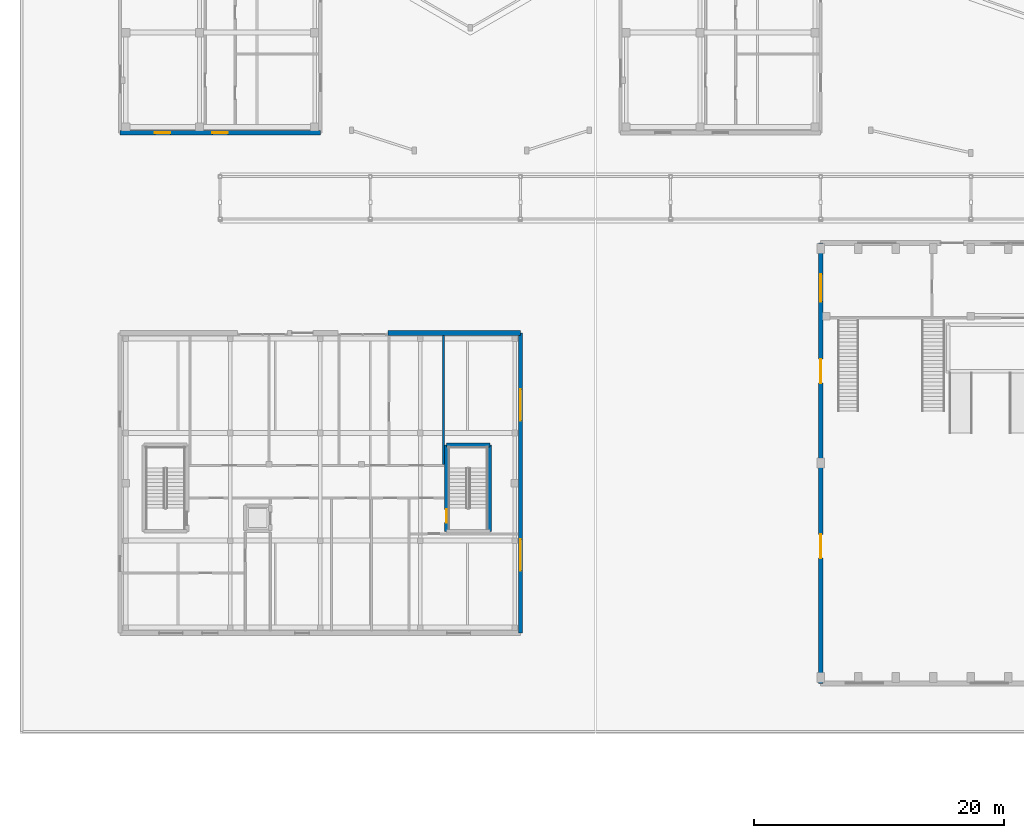
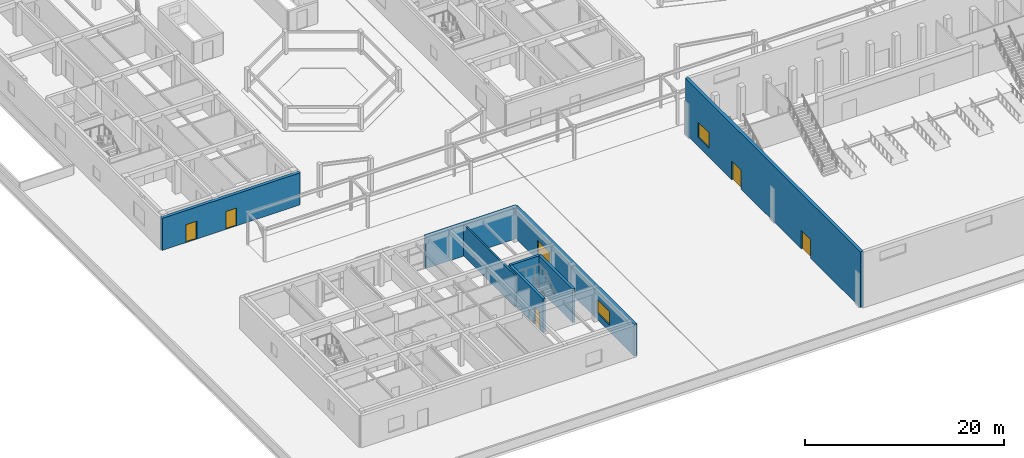
# One storey, part 74 of 114: 8 walls, 5 doors, 3 windows, 8 openings.
"""IFC4 building model written with IfcOpenShell, lengths in metres."""

from ifc_helpers import new_model, si_unit, direction, frame, frame_2d, origin, place, context, subcontext, project, spatial, rectangle, extrude, material, layer, layer_set, type_object, element, fill, save


model = new_model("IFC4")

# Units and contexts
model_context = context("Model", 3, precision=1e-05, world=origin(), true_north=direction((0.0, 1.0)))
body_context = subcontext(model_context, "Body", "Model", "MODEL_VIEW")
ifc_project = project(units=[si_unit("LENGTHUNIT", "METRE"), si_unit("AREAUNIT", "SQUARE_METRE"), si_unit("VOLUMEUNIT", "CUBIC_METRE"), si_unit("PLANEANGLEUNIT", "RADIAN"), si_unit("MASSUNIT", "GRAM", prefix="KILO")], contexts=[model_context])

# Site, building, storey
site_placement = place(None, origin())
site = spatial("IfcSite", under=ifc_project, at=site_placement, CompositionType="ELEMENT")
building_placement = place(site_placement, origin())
building = spatial("IfcBuilding", under=site, at=building_placement, Name="Keldmere Railside Commons", CompositionType="ELEMENT")
storey_placement = place(building_placement, origin())
storey = spatial("IfcBuildingStorey", under=building, at=storey_placement, Name="L00", CompositionType="ELEMENT", Elevation=0.0)

# Walls
ifc_material_1 = material(Name="Acoustic Gypsum Board Partition", Category="gypsum")
ifc_layer_1 = layer(ifc_material_1, 0.179931640625, Name="Acoustic Demising Partition 180")
ifc_layer_set_1 = layer_set([ifc_layer_1], Name="Acoustic Gypsum Board Partition")
wall_type_1 = type_object("IfcWallType", Name="Acoustic Demising Partition 180", PredefinedType="PARTITIONING", material=ifc_layer_set_1)
wall_1_placement = place(storey_placement, frame((33.860107421875, 29.47998046875, 0.0), z_axis=(0.0, 0.0, 1.0), x_axis=(0.0, 1.0, 0.0)))
element("IfcWall", 1, at=wall_1_placement, inside=storey, type_object=wall_type_1, Name="IW-1 IW-L00-0110", PredefinedType="PARTITIONING", context=body_context, shape_type="SweptSolid", body=[
    extrude(rectangle(XDim=10.320068359375, YDim=0.179931640625, at=frame_2d((5.16015625, 0.0))), origin(), (0.0, 0.0, 1.0), 3.889892578125),
])
ifc_material_2 = material(Name="Terracotta Brick Masonry", Category="masonry")
ifc_layer_2 = layer(ifc_material_2, 0.39990234375, Name="Civic Brick Cavity Wall 400")
ifc_layer_set_2 = layer_set([ifc_layer_2], Name="Terracotta Brick Masonry")
wall_type_2 = type_object("IfcWallType", Name="Civic Brick Cavity Wall 400", PredefinedType="SOLIDWALL", material=ifc_layer_set_2)
wall_2_placement = place(storey_placement, frame((29.39990234375, 40.0, 0.0), z_axis=(0.0, 0.0, 1.0), x_axis=(1.0, 0.0, 0.0)))
element("IfcWall", 2, at=wall_2_placement, inside=storey, type_object=wall_type_2, Name="EW-3 NURNE-L00-0985", PredefinedType="SOLIDWALL", context=body_context, shape_type="SweptSolid", body=[
    extrude(rectangle(XDim=10.60009765625, YDim=0.39990234375, at=frame_2d((5.300048828125, 0.0))), origin(), (0.0, 0.0, 1.0), 3.89990234375),
])

# Wall, openings, windows
ifc_material_3 = material(Name="Concrete H-35 (C35/45)", Category="concrete")
ifc_layer_3 = layer(ifc_material_3, 0.320068359375, Name="Exterior Shear Wall 320")
ifc_layer_set_3 = layer_set([ifc_layer_3], Name="Concrete H-35 (C35/45)")
wall_type_3 = type_object("IfcWallType", Name="Exterior Shear Wall 320", PredefinedType="SHEAR", material=ifc_layer_set_3)
wall_3_placement = place(storey_placement, frame((40.0, 40.0, 0.0), z_axis=(0.0, 0.0, 1.0), x_axis=(0.0, -1.0, 0.0)))
wall_3 = element("IfcWall", 3, at=wall_3_placement, inside=storey, type_object=wall_type_3, Name="ESW-2 NURE-L00-0986", PredefinedType="SHEAR", context=body_context, shape_type="SweptSolid", body=[
    extrude(rectangle(XDim=24.0, YDim=0.320068359375, at=frame_2d((12.0, 0.0))), origin(), (0.0, 0.0, 1.0), 3.89990234375),
])
opening_1_placement = place(wall_3_placement, frame((4.5, 0.0, 0.800048828125)))
opening_1 = element("IfcOpeningElement", 4, at=opening_1_placement, cuts=wall_3, Name="Opening WN-27", PredefinedType="OPENING", context=body_context, shape_type="SweptSolid", body=[
    extrude(rectangle(XDim=2.5, YDim=1.64990234375, at=frame_2d((1.25, 0.824951171875))), frame((0.0, 0.169921875, 0.0), z_axis=(0.0, -1.0, 0.0), x_axis=(1.0, 0.0, 0.0)), (0.0, 0.0, 1.0), 0.340087890625),
])
opening_2_placement = place(wall_3_placement, frame((16.5, 0.0, 0.800048828125)))
opening_2 = element("IfcOpeningElement", 5, at=opening_2_placement, cuts=wall_3, Name="Opening WN-27", PredefinedType="OPENING", context=body_context, shape_type="SweptSolid", body=[
    extrude(rectangle(XDim=2.5, YDim=1.64990234375, at=frame_2d((1.25, 0.824951171875))), frame((0.0, 0.169921875, 0.0), z_axis=(0.0, -1.0, 0.0), x_axis=(1.0, 0.0, 0.0)), (0.0, 0.0, 1.0), 0.340087890625),
])
ifc_material_4 = material(Name="Low-E Insulated Double Glazing", Category="glass")
window_type_1 = type_object("IfcWindowType", Name="Nursery Toddler Playroom Ribbon Window 2500x1650", PartitioningType="SINGLE_PANEL", PredefinedType="WINDOW", material=ifc_material_4)
window_1_placement = place(opening_1_placement, origin())
window_1 = element("IfcWindow", 6, at=window_1_placement, inside=storey, type_object=window_type_1, Name="WN-27 WIN-L00-0819", OverallHeight=1.64990234375, OverallWidth=2.5, PartitioningType="SINGLE_PANEL", PredefinedType="WINDOW", context=body_context, shape_type="SweptSolid", body=[
    extrude(rectangle(XDim=2.5, YDim=1.64990234375, at=frame_2d((1.25, 0.824951171875))), frame((0.0, 0.030029296875, 0.0), z_axis=(0.0, -1.0, 0.0), x_axis=(1.0, 0.0, 0.0)), (0.0, 0.0, 1.0), 0.06005859375),
])
fill(opening_1, window_1)
window_2_placement = place(opening_2_placement, origin())
window_2 = element("IfcWindow", 7, at=window_2_placement, inside=storey, type_object=window_type_1, Name="WN-27 WIN-L00-0821", OverallHeight=1.64990234375, OverallWidth=2.5, PartitioningType="SINGLE_PANEL", PredefinedType="WINDOW", context=body_context, shape_type="SweptSolid", body=[
    extrude(rectangle(XDim=2.5, YDim=1.64990234375, at=frame_2d((1.25, 0.824951171875))), frame((0.0, 0.030029296875, 0.0), z_axis=(0.0, -1.0, 0.0), x_axis=(1.0, 0.0, 0.0)), (0.0, 0.0, 1.0), 0.06005859375),
])
fill(opening_2, window_2)

# Wall, openings, doors
ifc_layer_4 = layer(ifc_material_3, 0.360107421875, Name="Exterior Shear Wall 360")
ifc_layer_set_4 = layer_set([ifc_layer_4], Name="Concrete H-35 (C35/45)")
wall_type_4 = type_object("IfcWallType", Name="Exterior Shear Wall 360", PredefinedType="SHEAR", material=ifc_layer_set_4)
wall_4_placement = place(storey_placement, frame((24.0, 56.0, 0.0), z_axis=(0.0, 0.0, 1.0), x_axis=(-1.0, 0.0, 0.0)))
wall_4 = element("IfcWall", 8, at=wall_4_placement, inside=storey, type_object=wall_type_4, Name="ESW-1 EXTD-L00-0123", PredefinedType="SHEAR", context=body_context, shape_type="SweptSolid", body=[
    extrude(rectangle(XDim=16.0, YDim=0.360107421875, at=frame_2d((8.0, 0.0))), origin(), (0.0, 0.0, 1.0), 3.93994140625),
])
opening_3_placement = place(wall_4_placement, frame((7.375, 0.0, 0.0)))
opening_3 = element("IfcOpeningElement", 9, at=opening_3_placement, cuts=wall_4, Name="Opening ED-02", PredefinedType="OPENING", context=body_context, shape_type="SweptSolid", body=[
    extrude(rectangle(XDim=1.25, YDim=2.199951171875, at=frame_2d((0.625, 1.10009765625))), frame((0.0, 0.18994140625, 0.0), z_axis=(0.0, -1.0, 0.0), x_axis=(1.0, 0.0, 0.0)), (0.0, 0.0, 1.0), 0.380126953125),
])
opening_4_placement = place(wall_4_placement, frame((11.97509765625, 0.0, 0.0)))
opening_4 = element("IfcOpeningElement", 10, at=opening_4_placement, cuts=wall_4, Name="Opening ED-02", PredefinedType="OPENING", context=body_context, shape_type="SweptSolid", body=[
    extrude(rectangle(XDim=1.25, YDim=2.199951171875, at=frame_2d((0.625, 1.10009765625))), frame((0.0, 0.18994140625, 0.0), z_axis=(0.0, -1.0, 0.0), x_axis=(1.0, 0.0, 0.0)), (0.0, 0.0, 1.0), 0.380126953125),
])
ifc_material_5 = material(Name="Steel F-24 (S235)", Category="steel")
door_type_1 = type_object("IfcDoorType", Name="Stair Final Escape Exit Door 1250x2200", OperationType="NOTDEFINED", PredefinedType="DOOR", material=ifc_material_5)
door_1_placement = place(opening_3_placement, origin())
door_1 = element("IfcDoor", 11, at=door_1_placement, inside=storey, type_object=door_type_1, Name="ED-02 DR-L00-0001", OperationType="SINGLE_SWING_LEFT", OverallHeight=2.199951171875, OverallWidth=1.25, PredefinedType="DOOR", context=body_context, shape_type="SweptSolid", body=[
    extrude(rectangle(XDim=1.25, YDim=2.199951171875, at=frame_2d((0.625, 1.10009765625))), frame((0.0, 0.02490234375, 0.0), z_axis=(0.0, -1.0, 0.0), x_axis=(1.0, 0.0, 0.0)), (0.0, 0.0, 1.0), 0.050048828125),
])
fill(opening_3, door_1)
door_2_placement = place(opening_4_placement, origin())
door_2 = element("IfcDoor", 12, at=door_2_placement, inside=storey, type_object=door_type_1, Name="ED-02 DR-L00-0002", OperationType="SINGLE_SWING_RIGHT", OverallHeight=2.199951171875, OverallWidth=1.25, PredefinedType="DOOR", context=body_context, shape_type="SweptSolid", body=[
    extrude(rectangle(XDim=1.25, YDim=2.199951171875, at=frame_2d((0.625, 1.10009765625))), frame((0.0, 0.02490234375, 0.0), z_axis=(0.0, -1.0, 0.0), x_axis=(1.0, 0.0, 0.0)), (0.0, 0.0, 1.0), 0.050048828125),
])
fill(opening_4, door_2)

# Wall, openings, doors, window
wall_5_placement = place(storey_placement, frame((64.0, 12.0, 0.0), z_axis=(0.0, 0.0, 1.0), x_axis=(0.0, 1.0, 0.0)))
wall_5 = element("IfcWall", 13, at=wall_5_placement, inside=storey, type_object=wall_type_4, Name="ESW-1 WAL-HALL-W-L00", PredefinedType="SHEAR", context=body_context, shape_type="SweptSolid", body=[
    extrude(rectangle(XDim=35.199951171875, YDim=0.360107421875, at=frame_2d((17.60009765625, 0.0))), origin(), (0.0, 0.0, 1.0), 6.840087890625),
])
opening_5_placement = place(wall_5_placement, frame((10.0, 0.0, 0.0)))
opening_5 = element("IfcOpeningElement", 14, at=opening_5_placement, cuts=wall_5, Name="Opening ED-04", PredefinedType="OPENING", context=body_context, shape_type="SweptSolid", body=[
    extrude(rectangle(XDim=1.89990234375, YDim=2.300048828125, at=frame_2d((0.949951171875, 1.14990234375))), frame((0.0, 0.18994140625, 0.0), z_axis=(0.0, -1.0, 0.0), x_axis=(1.0, 0.0, 0.0)), (0.0, 0.0, 1.0), 0.380126953125),
])
opening_6_placement = place(wall_5_placement, frame((24.0, 0.0, 0.0)))
opening_6 = element("IfcOpeningElement", 15, at=opening_6_placement, cuts=wall_5, Name="Opening ED-04", PredefinedType="OPENING", context=body_context, shape_type="SweptSolid", body=[
    extrude(rectangle(XDim=1.89990234375, YDim=2.300048828125, at=frame_2d((0.949951171875, 1.14990234375))), frame((0.0, 0.18994140625, 0.0), z_axis=(0.0, -1.0, 0.0), x_axis=(1.0, 0.0, 0.0)), (0.0, 0.0, 1.0), 0.380126953125),
])
opening_7_placement = place(wall_5_placement, frame((30.5, 0.0, 1.10009765625)))
opening_7 = element("IfcOpeningElement", 16, at=opening_7_placement, cuts=wall_5, Name="Opening WN-31", PredefinedType="OPENING", context=body_context, shape_type="SweptSolid", body=[
    extrude(rectangle(XDim=2.199951171875, YDim=1.89990234375, at=frame_2d((1.10009765625, 0.949951171875))), frame((0.0, 0.18994140625, 0.0), z_axis=(0.0, -1.0, 0.0), x_axis=(1.0, 0.0, 0.0)), (0.0, 0.0, 1.0), 0.380126953125),
])
door_type_2 = type_object("IfcDoorType", Name="Community Hall Emergency Escape Double Door 1900x2300", OperationType="DOUBLE_DOOR_SINGLE_SWING", PredefinedType="DOOR", material=ifc_material_5)
door_3_placement = place(opening_5_placement, origin())
door_3 = element("IfcDoor", 17, at=door_3_placement, inside=storey, type_object=door_type_2, Name="ED-04 DR-L00-0302", OperationType="DOUBLE_DOOR_SINGLE_SWING", OverallHeight=2.300048828125, OverallWidth=1.89990234375, PredefinedType="DOOR", context=body_context, shape_type="SweptSolid", body=[
    extrude(rectangle(XDim=1.89990234375, YDim=2.300048828125, at=frame_2d((0.949951171875, 1.14990234375))), frame((0.0, 0.02490234375, 0.0), z_axis=(0.0, -1.0, 0.0), x_axis=(1.0, 0.0, 0.0)), (0.0, 0.0, 1.0), 0.050048828125),
])
fill(opening_5, door_3)
door_4_placement = place(opening_6_placement, origin())
door_4 = element("IfcDoor", 18, at=door_4_placement, inside=storey, type_object=door_type_2, Name="ED-04 DR-L00-0304", OperationType="DOUBLE_DOOR_SINGLE_SWING", OverallHeight=2.300048828125, OverallWidth=1.89990234375, PredefinedType="DOOR", context=body_context, shape_type="SweptSolid", body=[
    extrude(rectangle(XDim=1.89990234375, YDim=2.300048828125, at=frame_2d((0.949951171875, 1.14990234375))), frame((0.0, 0.02490234375, 0.0), z_axis=(0.0, -1.0, 0.0), x_axis=(1.0, 0.0, 0.0)), (0.0, 0.0, 1.0), 0.050048828125),
])
fill(opening_6, door_4)
window_type_2 = type_object("IfcWindowType", Name="Community Hall Foyer Arched-Reveal Window 2200x1900", PartitioningType="SINGLE_PANEL", PredefinedType="WINDOW", material=ifc_material_4)
window_3_placement = place(opening_7_placement, origin())
window_3 = element("IfcWindow", 19, at=window_3_placement, inside=storey, type_object=window_type_2, Name="WN-31 WIN-L00-0837", OverallHeight=1.89990234375, OverallWidth=2.199951171875, PartitioningType="SINGLE_PANEL", PredefinedType="WINDOW", context=body_context, shape_type="SweptSolid", body=[
    extrude(rectangle(XDim=2.199951171875, YDim=1.89990234375, at=frame_2d((1.10009765625, 0.949951171875))), frame((0.0, 0.030029296875, 0.0), z_axis=(0.0, -1.0, 0.0), x_axis=(1.0, 0.0, 0.0)), (0.0, 0.0, 1.0), 0.06005859375),
])
fill(opening_7, window_3)

# Walls
ifc_layer_5 = layer(ifc_material_3, 0.300048828125, Name="Interior Shear Wall 300")
ifc_layer_set_5 = layer_set([ifc_layer_5], Name="Concrete H-35 (C35/45)")
wall_type_5 = type_object("IfcWallType", Name="Interior Shear Wall 300", PredefinedType="SHEAR", material=ifc_layer_set_5)
wall_6_placement = place(storey_placement, frame((37.550048828125, 31.050048828125, 0.0), z_axis=(0.0, 0.0, 1.0), x_axis=(0.0, -1.0, 0.0)))
element("IfcWall", 20, at=wall_6_placement, inside=storey, type_object=wall_type_5, Name="ISW-2 WAL-ST-N2-L00-E", PredefinedType="SHEAR", context=body_context, shape_type="SweptSolid", body=[
    extrude(rectangle(XDim=6.900146484375, YDim=0.300048828125, at=frame_2d((3.4501953125, 0.0))), origin(), (0.0, 0.0, 1.0), 4.159912109375),
])
wall_7_placement = place(storey_placement, frame((34.10009765625, 31.050048828125, 0.0), z_axis=(0.0, 0.0, 1.0), x_axis=(1.0, 0.0, 0.0)))
element("IfcWall", 21, at=wall_7_placement, inside=storey, type_object=wall_type_5, Name="ISW-2 WAL-ST-N2-L00-N", PredefinedType="SHEAR", context=body_context, shape_type="SweptSolid", body=[
    extrude(rectangle(XDim=3.449951171875, YDim=0.300048828125, at=frame_2d((1.72509765625, 0.0))), origin(), (0.0, 0.0, 1.0), 4.159912109375),
])

# Wall, opening, door
wall_8_placement = place(storey_placement, frame((34.10009765625, 24.14990234375, 0.0), z_axis=(0.0, 0.0, 1.0), x_axis=(0.0, 1.0, 0.0)))
wall_8 = element("IfcWall", 22, at=wall_8_placement, inside=storey, type_object=wall_type_5, Name="ISW-2 WAL-ST-N2-L00-W", PredefinedType="SHEAR", context=body_context, shape_type="SweptSolid", body=[
    extrude(rectangle(XDim=6.900146484375, YDim=0.300048828125, at=frame_2d((3.4501953125, 0.0))), origin(), (0.0, 0.0, 1.0), 4.159912109375),
])
opening_8_placement = place(wall_8_placement, frame((0.699951171875, 0.0, 0.0)))
opening_8 = element("IfcOpeningElement", 23, at=opening_8_placement, cuts=wall_8, Name="Opening FD-1", PredefinedType="OPENING", context=body_context, shape_type="SweptSolid", body=[
    extrude(rectangle(XDim=1.050048828125, YDim=2.14990234375, at=frame_2d((0.52490234375, 1.074951171875))), frame((0.0, 0.159912109375, 0.0), z_axis=(0.0, -1.0, 0.0), x_axis=(1.0, 0.0, 0.0)), (0.0, 0.0, 1.0), 0.320068359375),
])
door_type_3 = type_object("IfcDoorType", Name="Stair Core Fire Door 1050x2150", OperationType="NOTDEFINED", PredefinedType="DOOR", material=ifc_material_5)
door_5_placement = place(opening_8_placement, origin())
door_5 = element("IfcDoor", 24, at=door_5_placement, inside=storey, type_object=door_type_3, Name="FD-1 ST-N2 L00", OperationType="SINGLE_SWING_LEFT", OverallHeight=2.14990234375, OverallWidth=1.050048828125, PredefinedType="DOOR", context=body_context, shape_type="SweptSolid", body=[
    extrude(rectangle(XDim=1.050048828125, YDim=2.14990234375, at=frame_2d((0.52490234375, 1.074951171875))), frame((0.0, 0.02490234375, 0.0), z_axis=(0.0, -1.0, 0.0), x_axis=(1.0, 0.0, 0.0)), (0.0, 0.0, 1.0), 0.050048828125),
])
fill(opening_8, door_5)

save(model, "model.ifc")
